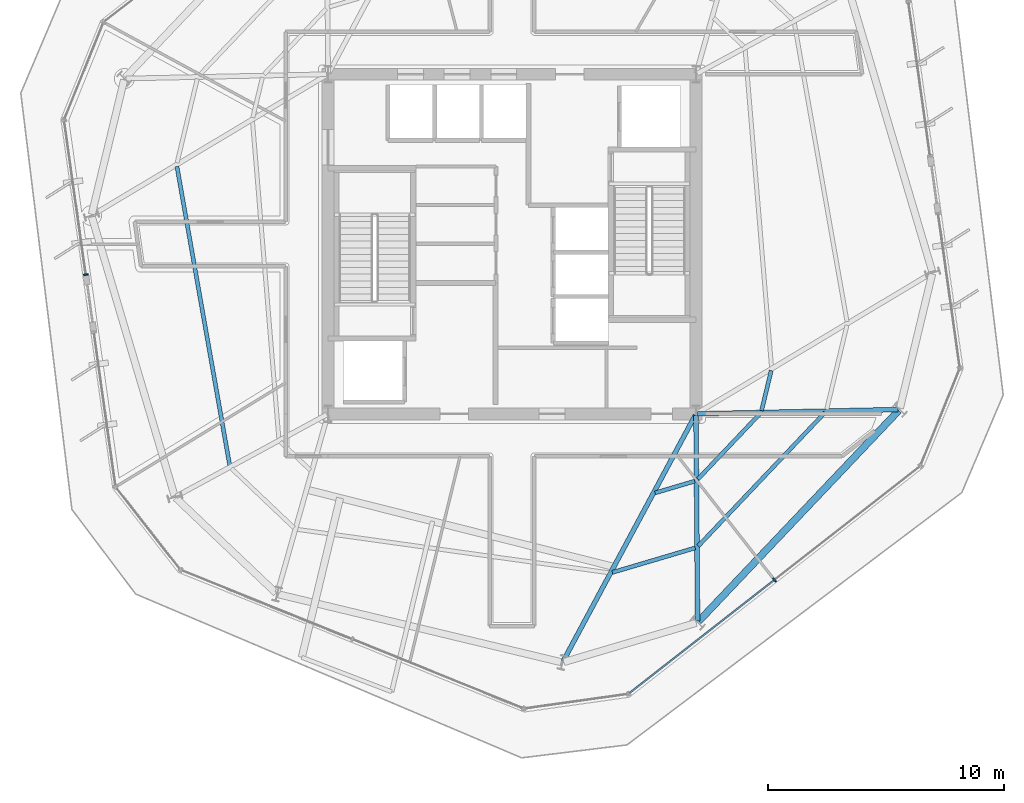
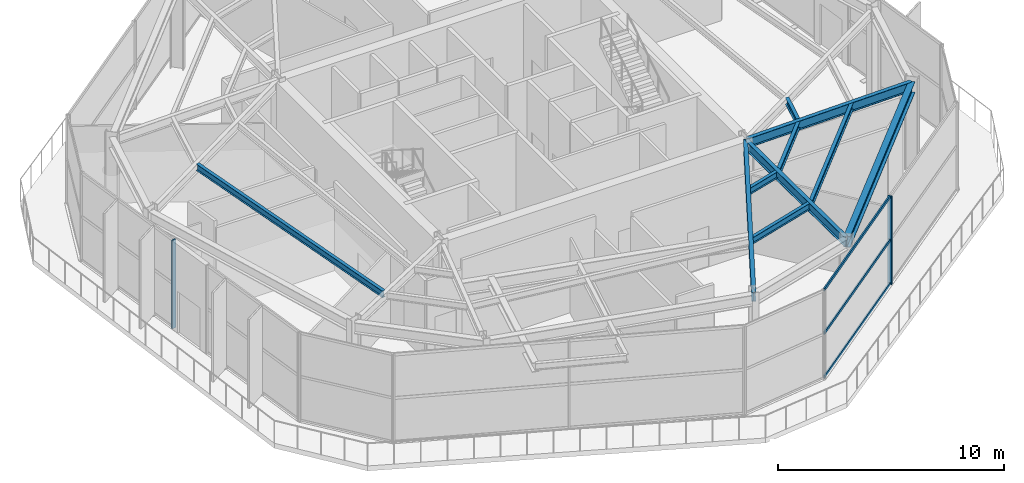
# One storey, part 3 of 14: 10 beams, 5 members, 2 elements without a shape of their own.
"""IFC4 building model written with IfcOpenShell, lengths in metres."""

from ifc_helpers import new_model, si_unit, direction, frame, origin, origin_2d, place, context, subcontext, project, spatial, rectangle, i_section, extrude, material, layer, layer_set, material_profile, profile_set, type_object, element, aggregate, save


model = new_model("IFC4")

# Units and contexts
model_context = context("Model", 3, precision=1e-05, world=origin(), true_north=direction((0.0, 1.0)))
body_context = subcontext(model_context, "Body", "Model", "MODEL_VIEW")
ifc_project = project(units=[si_unit("LENGTHUNIT", "METRE"), si_unit("AREAUNIT", "SQUARE_METRE"), si_unit("VOLUMEUNIT", "CUBIC_METRE"), si_unit("PLANEANGLEUNIT", "RADIAN"), si_unit("MASSUNIT", "GRAM", prefix="KILO")], contexts=[model_context])

# Site, building, storey
site_placement = place(None, origin())
site = spatial("IfcSite", under=ifc_project, at=site_placement, CompositionType="ELEMENT")
building_placement = place(site_placement, origin())
building = spatial("IfcBuilding", under=site, at=building_placement, Name="Kranzbogen Civic Tower", CompositionType="ELEMENT")
storey_placement = place(building_placement, frame((0.0, 0.0, 175.800048828125)))
storey = spatial("IfcBuildingStorey", under=building, at=storey_placement, Name="L42", CompositionType="ELEMENT", Elevation=175.800048828125)

# Curtain wall, member
ifc_material_1 = material(Name="Pale Anodised Aluminium", Category="aluminium")
ifc_layer = layer(ifc_material_1, 0.219970703125, Name="Pale Anodised Aluminium")
ifc_layer_set = layer_set([ifc_layer], Name="Pale Anodised Aluminium")
curtain_wall_type = type_object("IfcCurtainWallType", Name="Zone 3 Stick Curtain Wall System CW-04", PredefinedType="USERDEFINED", material=ifc_layer_set)
curtain_wall_1_placement = place(storey_placement, origin())
curtain_wall_1 = element("IfcCurtainWall", 1, at=curtain_wall_1_placement, inside=storey, type_object=curtain_wall_type, Name="L42 curtain wall CW-L42-F3-S1", ObjectType="STICK CURTAIN WALL", PredefinedType="USERDEFINED")
ifc_material_profile_1 = material_profile(ifc_material_1, rectangle(XDim=0.070068359375, YDim=0.199951171875, at=origin_2d()), Name="ALU-M 70x200")
ifc_profile_set_1 = profile_set([ifc_material_profile_1], Name="Pale Anodised Aluminium")
member_type_1 = type_object("IfcMemberType", Name="Curtain Wall Mullion ALU-M 70x200", PredefinedType="MULLION", material=ifc_profile_set_1)
member_1_placement = place(storey_placement, frame((6.932861328125, 23.70263671875, 0.0), z_axis=(0.0, 0.0, 1.0), x_axis=(0.139148919332, -0.990271466947, 0.0)))
member_1 = element("IfcMember", 2, at=member_1_placement, type_object=member_type_1, Name="CW-04 mullion 2", PredefinedType="MULLION", context=body_context, shape_type="SweptSolid", body=[
    extrude(rectangle(XDim=0.070068359375, YDim=0.199951171875, at=origin_2d()), origin(), (0.0, 0.0, 1.0), 4.780029296875),
])
aggregate(curtain_wall_1, [member_1])

# Curtain wall, members
curtain_wall_2_placement = place(storey_placement, origin())
curtain_wall_2 = element("IfcCurtainWall", 3, at=curtain_wall_2_placement, inside=storey, type_object=curtain_wall_type, Name="L42 curtain wall CW-L42-F5", ObjectType="STICK CURTAIN WALL", PredefinedType="USERDEFINED")
member_2_placement = place(storey_placement, frame((36.1259765625, 10.760009765625, 0.0), z_axis=(0.0, 0.0, 1.0), x_axis=(0.788034025548, 0.615631687439, 0.0)))
member_2 = element("IfcMember", 4, at=member_2_placement, type_object=member_type_1, Name="CW-04 mullion 2", PredefinedType="MULLION", context=body_context, shape_type="SweptSolid", body=[
    extrude(rectangle(XDim=0.070068359375, YDim=0.199951171875, at=origin_2d()), origin(), (0.0, 0.0, 1.0), 4.780029296875),
])
ifc_material_profile_2 = material_profile(ifc_material_1, rectangle(XDim=0.070068359375, YDim=0.14990234375, at=origin_2d()), Name="ALU-T 70x150")
ifc_profile_set_2 = profile_set([ifc_material_profile_2], Name="Pale Anodised Aluminium")
member_type_2 = type_object("IfcMemberType", Name="Curtain Wall Transom ALU-T 70x150", PredefinedType="USERDEFINED", material=ifc_profile_set_2)
member_3_placement = place(storey_placement, frame((29.984375, 5.9619140625, 0.030029296875), z_axis=(0.788029618036, 0.615637329195, 0.0), x_axis=(-0.615637329195, 0.788029618036, 0.0)))
member_3 = element("IfcMember", 5, at=member_3_placement, type_object=member_type_2, Name="CW-04 transom 1.1", ObjectType="TRANSOM", PredefinedType="USERDEFINED", context=body_context, shape_type="SweptSolid", body=[
    extrude(rectangle(XDim=0.070068359375, YDim=0.14990234375, at=origin_2d()), origin(), (0.0, 0.0, 1.0), 7.763671875),
])
member_4_placement = place(storey_placement, frame((29.984375, 5.9619140625, 2.39990234375), z_axis=(0.788029618036, 0.615637329195, 0.0), x_axis=(-0.615637329195, 0.788029618036, 0.0)))
member_4 = element("IfcMember", 6, at=member_4_placement, type_object=member_type_2, Name="CW-04 transom 1.2", ObjectType="TRANSOM", PredefinedType="USERDEFINED", context=body_context, shape_type="SweptSolid", body=[
    extrude(rectangle(XDim=0.070068359375, YDim=0.14990234375, at=origin_2d()), origin(), (0.0, 0.0, 1.0), 7.763671875),
])
member_5_placement = place(storey_placement, frame((29.984375, 5.9619140625, 4.75), z_axis=(0.788029618036, 0.615637329195, 0.0), x_axis=(-0.615637329195, 0.788029618036, 0.0)))
member_5 = element("IfcMember", 7, at=member_5_placement, type_object=member_type_2, Name="CW-04 transom 1.3", ObjectType="TRANSOM", PredefinedType="USERDEFINED", context=body_context, shape_type="SweptSolid", body=[
    extrude(rectangle(XDim=0.070068359375, YDim=0.14990234375, at=origin_2d()), origin(), (0.0, 0.0, 1.0), 7.763671875),
])
aggregate(curtain_wall_2, [member_2, member_3, member_4, member_5])

# Beams
ifc_material_2 = material(Name="Steel S355", Category="steel")
ifc_material_profile_3 = material_profile(ifc_material_2, i_section(OverallWidth=0.300048828125, OverallDepth=0.60009765625, WebThickness=0.015380859375, FlangeThickness=0.030029296875, at=origin_2d()), Name="HEB 600")
ifc_profile_set_3 = profile_set([ifc_material_profile_3], Name="Steel S355")
beam_type_1 = type_object("IfcBeamType", Name="Perimeter Tube Spandrel Beam HEB 600", PredefinedType="SPANDREL", material=ifc_profile_set_3)
beam_1_placement = place(storey_placement, frame((32.907958984375, 9.0, 4.47998046875), z_axis=(0.688373497874, 0.725356414065, 0.0), x_axis=(-0.725356414065, 0.688373497874, 0.0)))
element("IfcBeam", 8, at=beam_1_placement, inside=storey, type_object=beam_type_1, Name="L42 perimeter spandrel beam 04", PredefinedType="SPANDREL", context=body_context, shape_type="SweptSolid", body=[
    extrude(i_section(OverallWidth=0.300048828125, OverallDepth=0.60009765625, WebThickness=0.015380859375, FlangeThickness=0.030029296875, at=origin_2d()), origin(), (0.0, 0.0, 1.0), 12.324951171875),
])
ifc_material_profile_4 = material_profile(ifc_material_2, i_section(OverallWidth=0.199951171875, OverallDepth=0.5, WebThickness=0.01025390625, FlangeThickness=0.01611328125, at=origin_2d()), Name="IPE 500")
ifc_profile_set_4 = profile_set([ifc_material_profile_4], Name="Steel S355")
beam_type_2 = type_object("IfcBeamType", Name="Radial Tower Floor Girder IPE 500", PredefinedType="BEAM", material=ifc_profile_set_4)
beam_2_placement = place(storey_placement, frame((27.16796875, 7.31298828125, 4.530029296875), z_axis=(0.473160413549, 0.880976289721, 0.0), x_axis=(-0.880976289721, 0.473160413549, 0.0)))
element("IfcBeam", 9, at=beam_2_placement, inside=storey, type_object=beam_type_2, Name="L42 radial floor girder 03", PredefinedType="BEAM", context=body_context, shape_type="SweptSolid", body=[
    extrude(i_section(OverallWidth=0.199951171875, OverallDepth=0.5, WebThickness=0.01025390625, FlangeThickness=0.01611328125, at=origin_2d()), origin(), (0.0, 0.0, 1.0), 11.84375),
])
beam_3_placement = place(storey_placement, frame((32.866943359375, 9.01611328125, 4.530029296875), z_axis=(-0.007667756557, 0.999970602323, 0.0), x_axis=(-0.999970602323, -0.007667756557, 0.0)))
element("IfcBeam", 10, at=beam_3_placement, inside=storey, type_object=beam_type_2, Name="L42 radial floor girder 04", PredefinedType="BEAM", context=body_context, shape_type="SweptSolid", body=[
    extrude(i_section(OverallWidth=0.199951171875, OverallDepth=0.5, WebThickness=0.01025390625, FlangeThickness=0.01611328125, at=origin_2d()), origin(), (0.0, 0.0, 1.0), 8.72412109375),
])
beam_4_placement = place(storey_placement, frame((41.373046875, 17.98291015625, 4.530029296875), z_axis=(-0.99977183191, -0.021360808018, 0.0), x_axis=(0.021360808018, -0.99977183191, 0.0)))
element("IfcBeam", 11, at=beam_4_placement, inside=storey, type_object=beam_type_2, Name="L42 radial floor girder 05", PredefinedType="BEAM", context=body_context, shape_type="SweptSolid", body=[
    extrude(i_section(OverallWidth=0.199951171875, OverallDepth=0.5, WebThickness=0.01025390625, FlangeThickness=0.01611328125, at=origin_2d()), origin(), (0.0, 0.0, 1.0), 8.514892578125),
])
ifc_material_profile_5 = material_profile(ifc_material_2, i_section(OverallWidth=0.169921875, OverallDepth=0.360107421875, WebThickness=0.008056640625, FlangeThickness=0.0126953125, at=origin_2d()), Name="IPE 360")
ifc_profile_set_5 = profile_set([ifc_material_profile_5], Name="Steel S355")
beam_type_3 = type_object("IfcBeamType", Name="Secondary Composite Floor Joist IPE 360", PredefinedType="JOIST", material=ifc_profile_set_5)
beam_5_placement = place(storey_placement, frame((29.25390625, 11.076904296875, 4.599853515625), z_axis=(0.958843823165, 0.283934011309, 0.0), x_axis=(-0.283934011309, 0.958843823165, 0.0)))
element("IfcBeam", 12, at=beam_5_placement, inside=storey, type_object=beam_type_3, Name="L42 secondary floor joist 1.03", PredefinedType="JOIST", context=body_context, shape_type="SweptSolid", body=[
    extrude(i_section(OverallWidth=0.169921875, OverallDepth=0.360107421875, WebThickness=0.008056640625, FlangeThickness=0.0126953125, at=origin_2d()), origin(), (0.0, 0.0, 1.0), 3.662841796875),
])
beam_6_placement = place(storey_placement, frame((31.06591796875, 14.449951171875, 4.599853515625), z_axis=(0.958871214757, 0.283841493638, 0.0), x_axis=(-0.283841493638, 0.958871214757, 0.0)))
element("IfcBeam", 13, at=beam_6_placement, inside=storey, type_object=beam_type_3, Name="L42 secondary floor joist 2.03", PredefinedType="JOIST", context=body_context, shape_type="SweptSolid", body=[
    extrude(i_section(OverallWidth=0.169921875, OverallDepth=0.360107421875, WebThickness=0.008056640625, FlangeThickness=0.0126953125, at=origin_2d()), origin(), (0.0, 0.0, 1.0), 1.751220703125),
])
beam_7_placement = place(storey_placement, frame((32.89794921875, 12.197998046875, 4.599853515625), z_axis=(0.688282381634, 0.725442873789, 0.0), x_axis=(-0.725442873789, 0.688282381634, 0.0)))
element("IfcBeam", 14, at=beam_7_placement, inside=storey, type_object=beam_type_3, Name="L42 secondary floor joist 1.04", PredefinedType="JOIST", context=body_context, shape_type="SweptSolid", body=[
    extrude(i_section(OverallWidth=0.169921875, OverallDepth=0.360107421875, WebThickness=0.008056640625, FlangeThickness=0.0126953125, at=origin_2d()), origin(), (0.0, 0.0, 1.0), 7.804931640625),
])
beam_8_placement = place(storey_placement, frame((32.876953125, 15.028076171875, 4.599853515625), z_axis=(0.688175084876, 0.725544659243, 0.0), x_axis=(-0.725544659243, 0.688175084876, 0.0)))
element("IfcBeam", 15, at=beam_8_placement, inside=storey, type_object=beam_type_3, Name="L42 secondary floor joist 2.04", PredefinedType="JOIST", context=body_context, shape_type="SweptSolid", body=[
    extrude(i_section(OverallWidth=0.169921875, OverallDepth=0.360107421875, WebThickness=0.008056640625, FlangeThickness=0.0126953125, at=origin_2d()), origin(), (0.0, 0.0, 1.0), 3.82177734375),
])
beam_9_placement = place(storey_placement, frame((35.5810546875, 17.93701171875, 4.599853515625), z_axis=(0.233631438607, 0.972325228972, 0.0), x_axis=(-0.972325228972, 0.233631438607, 0.0)))
element("IfcBeam", 16, at=beam_9_placement, inside=storey, type_object=beam_type_3, Name="L42 secondary floor joist 2.05", PredefinedType="JOIST", context=body_context, shape_type="SweptSolid", body=[
    extrude(i_section(OverallWidth=0.169921875, OverallDepth=0.360107421875, WebThickness=0.008056640625, FlangeThickness=0.0126953125, at=origin_2d()), origin(), (0.0, 0.0, 1.0), 1.750244140625),
])
beam_10_placement = place(storey_placement, frame((10.7958984375, 28.287109375, 4.599853515625), z_axis=(0.173805911364, -0.984779927281, 0.0), x_axis=(0.984779927281, 0.173805911364, 0.0)))
element("IfcBeam", 17, at=beam_10_placement, inside=storey, type_object=beam_type_3, Name="L42 secondary floor joist 1.12", PredefinedType="JOIST", context=body_context, shape_type="SweptSolid", body=[
    extrude(i_section(OverallWidth=0.169921875, OverallDepth=0.360107421875, WebThickness=0.008056640625, FlangeThickness=0.0126953125, at=origin_2d()), origin(), (0.0, 0.0, 1.0), 12.85986328125),
])

save(model, "model.ifc")
